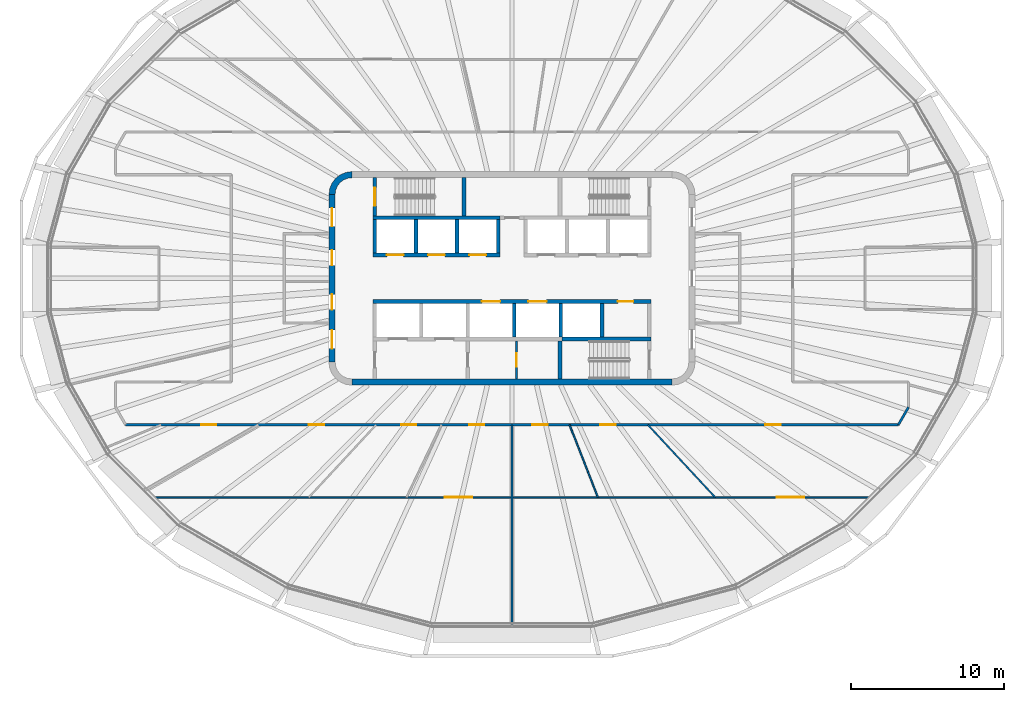
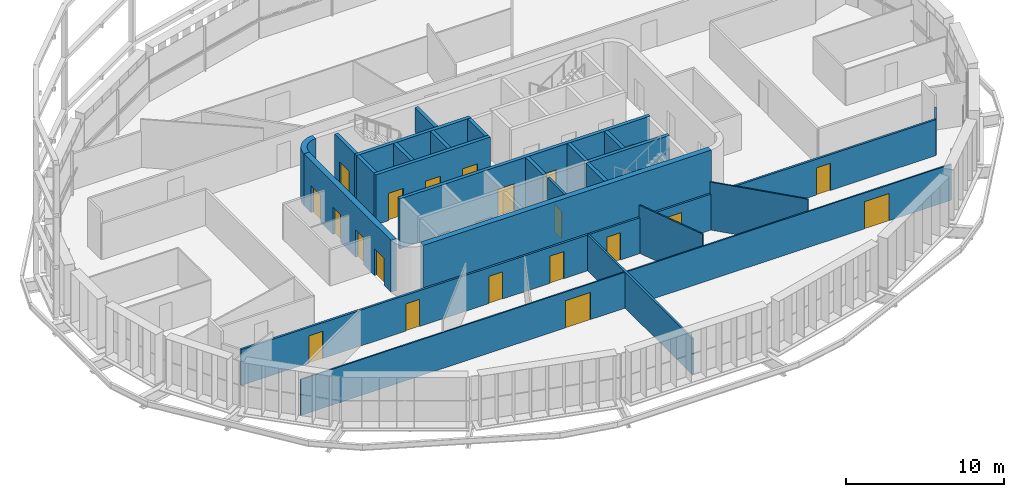
# One storey, part 10 of 20: 24 walls, 21 doors, 21 openings.
"""IFC4 building model written with IfcOpenShell, lengths in metres."""

from ifc_helpers import new_model, si_unit, direction, frame, frame_2d, origin, place, context, subcontext, project, spatial, polyline, rectangle, outline, extrude, material, layer, layer_set, type_object, element, fill, save


model = new_model("IFC4")

# Units and contexts
model_context = context("Model", 3, precision=1e-05, world=origin(), true_north=direction((0.0, 1.0)))
body_context = subcontext(model_context, "Body", "Model", "MODEL_VIEW")
ifc_project = project(units=[si_unit("LENGTHUNIT", "METRE"), si_unit("AREAUNIT", "SQUARE_METRE"), si_unit("VOLUMEUNIT", "CUBIC_METRE"), si_unit("PLANEANGLEUNIT", "RADIAN"), si_unit("MASSUNIT", "GRAM", prefix="KILO")], contexts=[model_context])

# Site, building, storey
site_placement = place(None, origin())
site = spatial("IfcSite", under=ifc_project, at=site_placement, CompositionType="ELEMENT")
building_placement = place(site_placement, origin())
building = spatial("IfcBuilding", under=site, at=building_placement, Name="Sahrelin Media Tower", CompositionType="ELEMENT")
storey_placement = place(building_placement, frame((0.0, 0.0, 237.60009765625)))
storey = spatial("IfcBuildingStorey", under=building, at=storey_placement, Name="L51", CompositionType="ELEMENT", Elevation=237.60009765625)

# Wall
ifc_material_1 = material(Name="Concrete C60/75", Category="concrete")
ifc_layer_1 = layer(ifc_material_1, 0.39990234375)
ifc_layer_set_1 = layer_set([ifc_layer_1], Name="Core wall 400")
wall_type_1 = type_object("IfcWallType", Name="Core wall 400", PredefinedType="SHEAR", material=ifc_layer_set_1)
wall_1_placement = place(storey_placement, frame((-10.5, -6.800048828125, 0.0), z_axis=(0.0, 0.0, 1.0), x_axis=(1.0, 0.0, 0.0)))
element("IfcWall", 1, at=wall_1_placement, inside=storey, type_object=wall_type_1, Name="Core wall S L51", PredefinedType="SHEAR", context=body_context, shape_type="SweptSolid", body=[
    extrude(rectangle(XDim=21.0, YDim=0.39990234375, at=frame_2d((10.5, 0.0))), origin(), (0.0, 0.0, 1.0), 4.0),
])

# Wall, openings, doors
wall_2_placement = place(storey_placement, frame((-11.800048828125, -5.5, 0.0), z_axis=(0.0, 0.0, 1.0), x_axis=(0.0, 1.0, 0.0)))
wall_2 = element("IfcWall", 2, at=wall_2_placement, inside=storey, type_object=wall_type_1, Name="Core wall W L51", PredefinedType="SHEAR", context=body_context, shape_type="SweptSolid", body=[
    extrude(rectangle(XDim=11.0, YDim=0.39990234375, at=frame_2d((5.5, 0.0))), origin(), (0.0, 0.0, 1.0), 4.0),
])
opening_1_placement = place(wall_2_placement, frame((3.449951171875, 0.0, 0.0)))
opening_1 = element("IfcOpeningElement", 3, at=opening_1_placement, cuts=wall_2, Name="Opening L51-D09", PredefinedType="OPENING", context=body_context, shape_type="SweptSolid", body=[
    extrude(rectangle(XDim=1.0, YDim=2.10009765625, at=frame_2d((0.5, 1.050048828125))), frame((0.0, 0.199951171875, 0.0), z_axis=(0.0, -1.0, 0.0), x_axis=(1.0, 0.0, 0.0)), (0.0, 0.0, 1.0), 0.39990234375),
])
opening_2_placement = place(wall_2_placement, frame((6.35009765625, 0.0, 0.0)))
opening_2 = element("IfcOpeningElement", 4, at=opening_2_placement, cuts=wall_2, Name="Opening L51-D10", PredefinedType="OPENING", context=body_context, shape_type="SweptSolid", body=[
    extrude(rectangle(XDim=1.0, YDim=2.10009765625, at=frame_2d((0.5, 1.050048828125))), frame((0.0, 0.199951171875, 0.0), z_axis=(0.0, -1.0, 0.0), x_axis=(1.0, 0.0, 0.0)), (0.0, 0.0, 1.0), 0.39990234375),
])
opening_3_placement = place(wall_2_placement, frame((0.89990234375, 0.0, 0.0)))
opening_3 = element("IfcOpeningElement", 5, at=opening_3_placement, cuts=wall_2, Name="Opening L51-D12", PredefinedType="OPENING", context=body_context, shape_type="SweptSolid", body=[
    extrude(rectangle(XDim=1.199951171875, YDim=2.10009765625, at=frame_2d((0.60009765625, 1.050048828125))), frame((0.0, 0.199951171875, 0.0), z_axis=(0.0, -1.0, 0.0), x_axis=(1.0, 0.0, 0.0)), (0.0, 0.0, 1.0), 0.39990234375),
])
opening_4_placement = place(wall_2_placement, frame((8.89990234375, 0.0, 0.0)))
opening_4 = element("IfcOpeningElement", 6, at=opening_4_placement, cuts=wall_2, Name="Opening L51-D13", PredefinedType="OPENING", context=body_context, shape_type="SweptSolid", body=[
    extrude(rectangle(XDim=1.199951171875, YDim=2.10009765625, at=frame_2d((0.60009765625, 1.050048828125))), frame((0.0, 0.199951171875, 0.0), z_axis=(0.0, -1.0, 0.0), x_axis=(1.0, 0.0, 0.0)), (0.0, 0.0, 1.0), 0.39990234375),
])
ifc_material_2 = material(Name="Steel fire door leaf", Category="steel")
door_type_1 = type_object("IfcDoorType", Name="Fire door 1000 x 2100 EI 60", OperationType="NOTDEFINED", PredefinedType="DOOR", material=ifc_material_2)
door_1_placement = place(opening_1_placement, origin())
door_1 = element("IfcDoor", 7, at=door_1_placement, inside=storey, type_object=door_type_1, Name="Core room door", OperationType="SINGLE_SWING_RIGHT", OverallHeight=2.10009765625, OverallWidth=1.0, PredefinedType="DOOR", context=body_context, shape_type="SweptSolid", body=[
    extrude(rectangle(XDim=1.0, YDim=2.10009765625, at=frame_2d((0.5, 1.050048828125))), frame((0.0, 0.02490234375, 0.0), z_axis=(0.0, -1.0, 0.0), x_axis=(1.0, 0.0, 0.0)), (0.0, 0.0, 1.0), 0.050048828125),
])
fill(opening_1, door_1)
door_2_placement = place(opening_2_placement, origin())
door_2 = element("IfcDoor", 8, at=door_2_placement, inside=storey, type_object=door_type_1, Name="Core room door", OperationType="SINGLE_SWING_RIGHT", OverallHeight=2.10009765625, OverallWidth=1.0, PredefinedType="DOOR", context=body_context, shape_type="SweptSolid", body=[
    extrude(rectangle(XDim=1.0, YDim=2.10009765625, at=frame_2d((0.5, 1.050048828125))), frame((0.0, 0.02490234375, 0.0), z_axis=(0.0, -1.0, 0.0), x_axis=(1.0, 0.0, 0.0)), (0.0, 0.0, 1.0), 0.050048828125),
])
fill(opening_2, door_2)
door_type_2 = type_object("IfcDoorType", Name="Lobby door 1200 x 2100 EI 60", OperationType="NOTDEFINED", PredefinedType="DOOR", material=ifc_material_2)
door_3_placement = place(opening_3_placement, origin())
door_3 = element("IfcDoor", 9, at=door_3_placement, inside=storey, type_object=door_type_2, Name="Lobby door", OperationType="SINGLE_SWING_LEFT", OverallHeight=2.10009765625, OverallWidth=1.199951171875, PredefinedType="DOOR", context=body_context, shape_type="SweptSolid", body=[
    extrude(rectangle(XDim=1.199951171875, YDim=2.10009765625, at=frame_2d((0.60009765625, 1.050048828125))), frame((0.0, 0.02490234375, 0.0), z_axis=(0.0, -1.0, 0.0), x_axis=(1.0, 0.0, 0.0)), (0.0, 0.0, 1.0), 0.050048828125),
])
fill(opening_3, door_3)
door_4_placement = place(opening_4_placement, origin())
door_4 = element("IfcDoor", 10, at=door_4_placement, inside=storey, type_object=door_type_2, Name="Lobby door", OperationType="SINGLE_SWING_LEFT", OverallHeight=2.10009765625, OverallWidth=1.199951171875, PredefinedType="DOOR", context=body_context, shape_type="SweptSolid", body=[
    extrude(rectangle(XDim=1.199951171875, YDim=2.10009765625, at=frame_2d((0.60009765625, 1.050048828125))), frame((0.0, 0.02490234375, 0.0), z_axis=(0.0, -1.0, 0.0), x_axis=(1.0, 0.0, 0.0)), (0.0, 0.0, 1.0), 0.050048828125),
])
fill(opening_4, door_4)

# Wall
wall_3_placement = place(storey_placement, origin())
element("IfcWall", 11, at=wall_3_placement, inside=storey, type_object=wall_type_1, Name="Core wall corner NW L51", PredefinedType="SHEAR", context=body_context, shape_type="SweptSolid", body=[
    extrude(outline(polyline([(-12.0, 5.5), (-11.596435546875, 5.5), (-11.55908203125, 5.78369140625), (-11.44970703125, 6.04833984375), (-11.275390625, 6.275390625), (-11.04833984375, 6.44970703125), (-10.78369140625, 6.55908203125), (-10.5, 6.596435546875), (-10.5, 7.0), (-10.88818359375, 6.948974609375), (-11.25, 6.799072265625), (-11.560791015625, 6.560791015625), (-11.799072265625, 6.25), (-11.948974609375, 5.88818359375), (-12.0, 5.5)])), origin(), (0.0, 0.0, 1.0), 4.0),
])

# Wall, opening, door
ifc_material_3 = material(Name="Fire-rated gypsum board partition")
ifc_layer_2 = layer(ifc_material_3, 0.14990234375)
ifc_layer_set_2 = layer_set([ifc_layer_2], Name="Fire-rated partition 150")
wall_type_2 = type_object("IfcWallType", Name="Fire-rated partition 150", PredefinedType="PARTITIONING", material=ifc_layer_set_2)
wall_4_placement = place(storey_placement, frame((0.300048828125, -6.60009765625, 0.0), z_axis=(0.0, 0.0, 1.0), x_axis=(0.0, 1.0, 0.0)))
wall_4 = element("IfcWall", 12, at=wall_4_placement, inside=storey, type_object=wall_type_2, Name="Core room fire partition", PredefinedType="PARTITIONING", context=body_context, shape_type="SweptSolid", body=[
    extrude(rectangle(XDim=2.5, YDim=0.14990234375, at=frame_2d((1.25, 0.0))), origin(), (0.0, 0.0, 1.0), 3.699951171875),
])
opening_5_placement = place(wall_4_placement, frame((0.800048828125, 0.0, 0.0)))
opening_5 = element("IfcOpeningElement", 13, at=opening_5_placement, cuts=wall_4, Name="Opening L51-D07", PredefinedType="OPENING", context=body_context, shape_type="SweptSolid", body=[
    extrude(rectangle(XDim=0.89990234375, YDim=2.10009765625, at=frame_2d((0.449951171875, 1.050048828125))), frame((0.0, 0.074951171875, 0.0), z_axis=(0.0, -1.0, 0.0), x_axis=(1.0, 0.0, 0.0)), (0.0, 0.0, 1.0), 0.14990234375),
])
door_type_3 = type_object("IfcDoorType", Name="Fire door 900 x 2100 EI 60", OperationType="NOTDEFINED", PredefinedType="DOOR", material=ifc_material_2)
door_5_placement = place(opening_5_placement, origin())
door_5 = element("IfcDoor", 14, at=door_5_placement, inside=storey, type_object=door_type_3, Name="Core room door", OperationType="SINGLE_SWING_RIGHT", OverallHeight=2.10009765625, OverallWidth=0.89990234375, PredefinedType="DOOR", context=body_context, shape_type="SweptSolid", body=[
    extrude(rectangle(XDim=0.89990234375, YDim=2.10009765625, at=frame_2d((0.449951171875, 1.050048828125))), frame((0.0, 0.02490234375, 0.0), z_axis=(0.0, -1.0, 0.0), x_axis=(1.0, 0.0, 0.0)), (0.0, 0.0, 1.0), 0.050048828125),
])
fill(opening_5, door_5)

# Wall, openings, doors
wall_5_placement = place(storey_placement, frame((-25.3330078125, -9.60009765625, 0.0), z_axis=(0.0, 0.0, 1.0), x_axis=(1.0, 0.0, 0.0)))
wall_5 = element("IfcWall", 15, at=wall_5_placement, inside=storey, type_object=wall_type_2, Name="Wall", PredefinedType="PARTITIONING", context=body_context, shape_type="SweptSolid", body=[
    extrude(rectangle(XDim=50.666015625, YDim=0.14990234375, at=frame_2d((25.3330078125, 0.0))), origin(), (0.0, 0.0, 1.0), 2.76806640625),
])
opening_6_placement = place(wall_5_placement, frame((4.955810546875, 0.0, 0.0)))
opening_6 = element("IfcOpeningElement", 16, at=opening_6_placement, cuts=wall_5, Name="Opening L51-D26", PredefinedType="OPENING", context=body_context, shape_type="SweptSolid", body=[
    extrude(rectangle(XDim=1.0, YDim=2.10009765625, at=frame_2d((0.5, 1.050048828125))), frame((0.0, 0.074951171875, 0.0), z_axis=(0.0, -1.0, 0.0), x_axis=(1.0, 0.0, 0.0)), (0.0, 0.0, 1.0), 0.14990234375),
])
opening_7_placement = place(wall_5_placement, frame((12.015869140625, 0.0, 0.0)))
opening_7 = element("IfcOpeningElement", 17, at=opening_7_placement, cuts=wall_5, Name="Opening L51-D28", PredefinedType="OPENING", context=body_context, shape_type="SweptSolid", body=[
    extrude(rectangle(XDim=1.0, YDim=2.10009765625, at=frame_2d((0.5, 1.050048828125))), frame((0.0, 0.074951171875, 0.0), z_axis=(0.0, -1.0, 0.0), x_axis=(1.0, 0.0, 0.0)), (0.0, 0.0, 1.0), 0.14990234375),
])
opening_8_placement = place(wall_5_placement, frame((18.068115234375, 0.0, 0.0)))
opening_8 = element("IfcOpeningElement", 18, at=opening_8_placement, cuts=wall_5, Name="Opening L51-D29", PredefinedType="OPENING", context=body_context, shape_type="SweptSolid", body=[
    extrude(rectangle(XDim=1.0, YDim=2.10009765625, at=frame_2d((0.5, 1.050048828125))), frame((0.0, 0.074951171875, 0.0), z_axis=(0.0, -1.0, 0.0), x_axis=(1.0, 0.0, 0.0)), (0.0, 0.0, 1.0), 0.14990234375),
])
opening_9_placement = place(wall_5_placement, frame((22.521484375, 0.0, 0.0)))
opening_9 = element("IfcOpeningElement", 19, at=opening_9_placement, cuts=wall_5, Name="Opening L51-D30", PredefinedType="OPENING", context=body_context, shape_type="SweptSolid", body=[
    extrude(rectangle(XDim=1.0, YDim=2.10009765625, at=frame_2d((0.5, 1.050048828125))), frame((0.0, 0.074951171875, 0.0), z_axis=(0.0, -1.0, 0.0), x_axis=(1.0, 0.0, 0.0)), (0.0, 0.0, 1.0), 0.14990234375),
])
opening_10_placement = place(wall_5_placement, frame((26.664794921875, 0.0, 0.0)))
opening_10 = element("IfcOpeningElement", 20, at=opening_10_placement, cuts=wall_5, Name="Opening L51-D32", PredefinedType="OPENING", context=body_context, shape_type="SweptSolid", body=[
    extrude(rectangle(XDim=1.0, YDim=2.10009765625, at=frame_2d((0.5, 1.050048828125))), frame((0.0, 0.074951171875, 0.0), z_axis=(0.0, -1.0, 0.0), x_axis=(1.0, 0.0, 0.0)), (0.0, 0.0, 1.0), 0.14990234375),
])
opening_11_placement = place(wall_5_placement, frame((31.119873046875, 0.0, 0.0)))
opening_11 = element("IfcOpeningElement", 21, at=opening_11_placement, cuts=wall_5, Name="Opening L51-D33", PredefinedType="OPENING", context=body_context, shape_type="SweptSolid", body=[
    extrude(rectangle(XDim=1.0, YDim=2.10009765625, at=frame_2d((0.5, 1.050048828125))), frame((0.0, 0.074951171875, 0.0), z_axis=(0.0, -1.0, 0.0), x_axis=(1.0, 0.0, 0.0)), (0.0, 0.0, 1.0), 0.14990234375),
])
opening_12_placement = place(wall_5_placement, frame((41.952880859375, 0.0, 0.0)))
opening_12 = element("IfcOpeningElement", 22, at=opening_12_placement, cuts=wall_5, Name="Opening L51-D34", PredefinedType="OPENING", context=body_context, shape_type="SweptSolid", body=[
    extrude(rectangle(XDim=1.0, YDim=2.10009765625, at=frame_2d((0.5, 1.050048828125))), frame((0.0, 0.074951171875, 0.0), z_axis=(0.0, -1.0, 0.0), x_axis=(1.0, 0.0, 0.0)), (0.0, 0.0, 1.0), 0.14990234375),
])
door_6_placement = place(opening_6_placement, origin())
door_6 = element("IfcDoor", 23, at=door_6_placement, inside=storey, type_object=door_type_1, Name="Fire door", OperationType="SINGLE_SWING_LEFT", OverallHeight=2.10009765625, OverallWidth=1.0, PredefinedType="DOOR", context=body_context, shape_type="SweptSolid", body=[
    extrude(rectangle(XDim=1.0, YDim=2.10009765625, at=frame_2d((0.5, 1.050048828125))), frame((0.0, 0.02490234375, 0.0), z_axis=(0.0, -1.0, 0.0), x_axis=(1.0, 0.0, 0.0)), (0.0, 0.0, 1.0), 0.050048828125),
])
fill(opening_6, door_6)
door_7_placement = place(opening_7_placement, origin())
door_7 = element("IfcDoor", 24, at=door_7_placement, inside=storey, type_object=door_type_1, Name="Fire door", OperationType="SINGLE_SWING_RIGHT", OverallHeight=2.10009765625, OverallWidth=1.0, PredefinedType="DOOR", context=body_context, shape_type="SweptSolid", body=[
    extrude(rectangle(XDim=1.0, YDim=2.10009765625, at=frame_2d((0.5, 1.050048828125))), frame((0.0, 0.02490234375, 0.0), z_axis=(0.0, -1.0, 0.0), x_axis=(1.0, 0.0, 0.0)), (0.0, 0.0, 1.0), 0.050048828125),
])
fill(opening_7, door_7)
door_8_placement = place(opening_8_placement, origin())
door_8 = element("IfcDoor", 25, at=door_8_placement, inside=storey, type_object=door_type_1, Name="Fire door", OperationType="SINGLE_SWING_RIGHT", OverallHeight=2.10009765625, OverallWidth=1.0, PredefinedType="DOOR", context=body_context, shape_type="SweptSolid", body=[
    extrude(rectangle(XDim=1.0, YDim=2.10009765625, at=frame_2d((0.5, 1.050048828125))), frame((0.0, 0.02490234375, 0.0), z_axis=(0.0, -1.0, 0.0), x_axis=(1.0, 0.0, 0.0)), (0.0, 0.0, 1.0), 0.050048828125),
])
fill(opening_8, door_8)
door_9_placement = place(opening_9_placement, origin())
door_9 = element("IfcDoor", 26, at=door_9_placement, inside=storey, type_object=door_type_1, Name="Fire door", OperationType="SINGLE_SWING_LEFT", OverallHeight=2.10009765625, OverallWidth=1.0, PredefinedType="DOOR", context=body_context, shape_type="SweptSolid", body=[
    extrude(rectangle(XDim=1.0, YDim=2.10009765625, at=frame_2d((0.5, 1.050048828125))), frame((0.0, 0.02490234375, 0.0), z_axis=(0.0, -1.0, 0.0), x_axis=(1.0, 0.0, 0.0)), (0.0, 0.0, 1.0), 0.050048828125),
])
fill(opening_9, door_9)
door_10_placement = place(opening_10_placement, origin())
door_10 = element("IfcDoor", 27, at=door_10_placement, inside=storey, type_object=door_type_1, Name="Fire door", OperationType="SINGLE_SWING_RIGHT", OverallHeight=2.10009765625, OverallWidth=1.0, PredefinedType="DOOR", context=body_context, shape_type="SweptSolid", body=[
    extrude(rectangle(XDim=1.0, YDim=2.10009765625, at=frame_2d((0.5, 1.050048828125))), frame((0.0, 0.02490234375, 0.0), z_axis=(0.0, -1.0, 0.0), x_axis=(1.0, 0.0, 0.0)), (0.0, 0.0, 1.0), 0.050048828125),
])
fill(opening_10, door_10)
door_11_placement = place(opening_11_placement, origin())
door_11 = element("IfcDoor", 28, at=door_11_placement, inside=storey, type_object=door_type_1, Name="Fire door", OperationType="SINGLE_SWING_LEFT", OverallHeight=2.10009765625, OverallWidth=1.0, PredefinedType="DOOR", context=body_context, shape_type="SweptSolid", body=[
    extrude(rectangle(XDim=1.0, YDim=2.10009765625, at=frame_2d((0.5, 1.050048828125))), frame((0.0, 0.02490234375, 0.0), z_axis=(0.0, -1.0, 0.0), x_axis=(1.0, 0.0, 0.0)), (0.0, 0.0, 1.0), 0.050048828125),
])
fill(opening_11, door_11)
door_12_placement = place(opening_12_placement, origin())
door_12 = element("IfcDoor", 29, at=door_12_placement, inside=storey, type_object=door_type_1, Name="Fire door", OperationType="SINGLE_SWING_RIGHT", OverallHeight=2.10009765625, OverallWidth=1.0, PredefinedType="DOOR", context=body_context, shape_type="SweptSolid", body=[
    extrude(rectangle(XDim=1.0, YDim=2.10009765625, at=frame_2d((0.5, 1.050048828125))), frame((0.0, 0.02490234375, 0.0), z_axis=(0.0, -1.0, 0.0), x_axis=(1.0, 0.0, 0.0)), (0.0, 0.0, 1.0), 0.050048828125),
])
fill(opening_12, door_12)

# Walls
wall_6_placement = place(storey_placement, frame((25.3330078125, -9.60009765625, 0.0), z_axis=(0.0, 0.0, 1.0), x_axis=(0.500076310463, 0.865981341435, 0.0)))
element("IfcWall", 30, at=wall_6_placement, inside=storey, type_object=wall_type_2, Name="Wall", PredefinedType="PARTITIONING", context=body_context, shape_type="SweptSolid", body=[
    extrude(rectangle(XDim=1.333740234375, YDim=0.14990234375, at=frame_2d((0.6669921875, 0.0))), origin(), (0.0, 0.0, 1.0), 2.76806640625),
])
wall_7_placement = place(storey_placement, frame((0.0, -22.85009765625, 0.0), z_axis=(0.0, 0.0, 1.0), x_axis=(0.0, 1.0, 0.0)))
element("IfcWall", 31, at=wall_7_placement, inside=storey, type_object=wall_type_2, Name="Wall", PredefinedType="PARTITIONING", context=body_context, shape_type="SweptSolid", body=[
    extrude(rectangle(XDim=13.25, YDim=0.14990234375, at=frame_2d((6.625, 0.0))), origin(), (0.0, 0.0, 1.0), 2.76806640625),
])

# Wall, openings, doors
ifc_layer_3 = layer(ifc_material_1, 0.25)
ifc_layer_set_3 = layer_set([ifc_layer_3], Name="Lift shaft wall 250")
wall_type_3 = type_object("IfcWallType", Name="Lift shaft wall 250", PredefinedType="SOLIDWALL", material=ifc_layer_set_3)
wall_8_placement = place(storey_placement, frame((-9.125, 1.52490234375, 0.0), z_axis=(0.0, 0.0, 1.0), x_axis=(1.0, 0.0, 0.0)))
wall_8 = element("IfcWall", 32, at=wall_8_placement, inside=storey, type_object=wall_type_3, Name="Lift shaft wall", PredefinedType="SOLIDWALL", context=body_context, shape_type="SweptSolid", body=[
    extrude(rectangle(XDim=8.35009765625, YDim=0.25, at=frame_2d((4.175048828125, 0.0))), origin(), (0.0, 0.0, 1.0), 3.849853515625),
])
opening_13_placement = place(wall_8_placement, frame((0.925048828125, 0.0, 0.0)))
opening_13 = element("IfcOpeningElement", 33, at=opening_13_placement, cuts=wall_8, Name="Opening L51-LD-HR1", PredefinedType="OPENING", context=body_context, shape_type="SweptSolid", body=[
    extrude(rectangle(XDim=1.10009765625, YDim=2.10009765625, at=frame_2d((0.550048828125, 1.050048828125))), frame((0.0, 0.125, 0.0), z_axis=(0.0, -1.0, 0.0), x_axis=(1.0, 0.0, 0.0)), (0.0, 0.0, 1.0), 0.25),
])
opening_14_placement = place(wall_8_placement, frame((3.625, 0.0, 0.0)))
opening_14 = element("IfcOpeningElement", 34, at=opening_14_placement, cuts=wall_8, Name="Opening L51-LD-HR2", PredefinedType="OPENING", context=body_context, shape_type="SweptSolid", body=[
    extrude(rectangle(XDim=1.10009765625, YDim=2.10009765625, at=frame_2d((0.550048828125, 1.050048828125))), frame((0.0, 0.125, 0.0), z_axis=(0.0, -1.0, 0.0), x_axis=(1.0, 0.0, 0.0)), (0.0, 0.0, 1.0), 0.25),
])
opening_15_placement = place(wall_8_placement, frame((6.324951171875, 0.0, 0.0)))
opening_15 = element("IfcOpeningElement", 35, at=opening_15_placement, cuts=wall_8, Name="Opening L51-LD-HR3", PredefinedType="OPENING", context=body_context, shape_type="SweptSolid", body=[
    extrude(rectangle(XDim=1.10009765625, YDim=2.10009765625, at=frame_2d((0.550048828125, 1.050048828125))), frame((0.0, 0.125, 0.0), z_axis=(0.0, -1.0, 0.0), x_axis=(1.0, 0.0, 0.0)), (0.0, 0.0, 1.0), 0.25),
])
ifc_material_4 = material(Name="Stainless steel", Category="steel")
door_type_4 = type_object("IfcDoorType", Name="Lift landing door 1100 x 2100 EI 120", OperationType="DOUBLE_DOOR_SLIDING", PredefinedType="DOOR", material=ifc_material_4)
door_13_placement = place(opening_13_placement, origin())
door_13 = element("IfcDoor", 36, at=door_13_placement, inside=storey, type_object=door_type_4, Name="Lift landing door HR1", OperationType="DOUBLE_DOOR_SLIDING", OverallHeight=2.10009765625, OverallWidth=1.10009765625, PredefinedType="DOOR", context=body_context, shape_type="SweptSolid", body=[
    extrude(rectangle(XDim=1.10009765625, YDim=2.10009765625, at=frame_2d((0.550048828125, 1.050048828125))), frame((0.0, 0.02490234375, 0.0), z_axis=(0.0, -1.0, 0.0), x_axis=(1.0, 0.0, 0.0)), (0.0, 0.0, 1.0), 0.050048828125),
])
fill(opening_13, door_13)
door_14_placement = place(opening_14_placement, origin())
door_14 = element("IfcDoor", 37, at=door_14_placement, inside=storey, type_object=door_type_4, Name="Lift landing door HR2", OperationType="DOUBLE_DOOR_SLIDING", OverallHeight=2.10009765625, OverallWidth=1.10009765625, PredefinedType="DOOR", context=body_context, shape_type="SweptSolid", body=[
    extrude(rectangle(XDim=1.10009765625, YDim=2.10009765625, at=frame_2d((0.550048828125, 1.050048828125))), frame((0.0, 0.02490234375, 0.0), z_axis=(0.0, -1.0, 0.0), x_axis=(1.0, 0.0, 0.0)), (0.0, 0.0, 1.0), 0.050048828125),
])
fill(opening_14, door_14)
door_15_placement = place(opening_15_placement, origin())
door_15 = element("IfcDoor", 38, at=door_15_placement, inside=storey, type_object=door_type_4, Name="Lift landing door HR3", OperationType="DOUBLE_DOOR_SLIDING", OverallHeight=2.10009765625, OverallWidth=1.10009765625, PredefinedType="DOOR", context=body_context, shape_type="SweptSolid", body=[
    extrude(rectangle(XDim=1.10009765625, YDim=2.10009765625, at=frame_2d((0.550048828125, 1.050048828125))), frame((0.0, 0.02490234375, 0.0), z_axis=(0.0, -1.0, 0.0), x_axis=(1.0, 0.0, 0.0)), (0.0, 0.0, 1.0), 0.050048828125),
])
fill(opening_15, door_15)

# Walls
wall_9_placement = place(storey_placement, frame((-9.125, 3.97509765625, 0.0), z_axis=(0.0, 0.0, 1.0), x_axis=(1.0, 0.0, 0.0)))
element("IfcWall", 39, at=wall_9_placement, inside=storey, type_object=wall_type_3, Name="Lift shaft wall", PredefinedType="SOLIDWALL", context=body_context, shape_type="SweptSolid", body=[
    extrude(rectangle(XDim=8.35009765625, YDim=0.25, at=frame_2d((4.175048828125, 0.0))), origin(), (0.0, 0.0, 1.0), 3.849853515625),
])
for number, where, z_axis, x_axis, name in (
    (40, (-9.0, 1.64990234375, 0.0), (0.0, 0.0, 1.0), (0.0, 1.0, 0.0), "Lift shaft wall"),
    (41, (-6.300048828125, 1.64990234375, 0.0), (0.0, 0.0, 1.0), (0.0, 1.0, 0.0), "Lift shaft wall"),
    (42, (-3.60009765625, 1.64990234375, 0.0), (0.0, 0.0, 1.0), (0.0, 1.0, 0.0), "Lift shaft wall"),
    (43, (-0.89990234375, 1.64990234375, 0.0), (0.0, 0.0, 1.0), (0.0, 1.0, 0.0), "Lift shaft wall"),
):
    element("IfcWall", number, at=place(storey_placement, frame(where, z_axis=z_axis, x_axis=x_axis)), inside=storey, type_object=wall_type_3, Name=name, PredefinedType="SOLIDWALL", context=body_context, shape_type="SweptSolid", body=[
        extrude(rectangle(XDim=2.2001953125, YDim=0.25, at=frame_2d((1.10009765625, 0.0))), origin(), (0.0, 0.0, 1.0), 3.849853515625),
    ])

# Wall, openings, doors
wall_10_placement = place(storey_placement, frame((-9.125, -1.52490234375, 0.0), z_axis=(0.0, 0.0, 1.0), x_axis=(1.0, 0.0, 0.0)))
wall_10 = element("IfcWall", 44, at=wall_10_placement, inside=storey, type_object=wall_type_3, Name="Lift shaft wall", PredefinedType="SOLIDWALL", context=body_context, shape_type="SweptSolid", body=[
    extrude(rectangle(XDim=18.25, YDim=0.25, at=frame_2d((9.125, 0.0))), origin(), (0.0, 0.0, 1.0), 3.849853515625),
])
opening_16_placement = place(wall_10_placement, frame((7.14990234375, 0.0, 0.0)))
opening_16 = element("IfcOpeningElement", 45, at=opening_16_placement, cuts=wall_10, Name="Opening L51-LD-SV1", PredefinedType="OPENING", context=body_context, shape_type="SweptSolid", body=[
    extrude(rectangle(XDim=1.199951171875, YDim=2.10009765625, at=frame_2d((0.60009765625, 1.050048828125))), frame((0.0, 0.125, 0.0), z_axis=(0.0, -1.0, 0.0), x_axis=(1.0, 0.0, 0.0)), (0.0, 0.0, 1.0), 0.25),
])
opening_17_placement = place(wall_10_placement, frame((10.199951171875, 0.0, 0.0)))
opening_17 = element("IfcOpeningElement", 46, at=opening_17_placement, cuts=wall_10, Name="Opening L51-LD-SV2", PredefinedType="OPENING", context=body_context, shape_type="SweptSolid", body=[
    extrude(rectangle(XDim=1.199951171875, YDim=2.10009765625, at=frame_2d((0.60009765625, 1.050048828125))), frame((0.0, 0.125, 0.0), z_axis=(0.0, -1.0, 0.0), x_axis=(1.0, 0.0, 0.0)), (0.0, 0.0, 1.0), 0.25),
])
opening_18_placement = place(wall_10_placement, frame((16.074951171875, 0.0, 0.0)))
opening_18 = element("IfcOpeningElement", 47, at=opening_18_placement, cuts=wall_10, Name="Opening L51-D08", PredefinedType="OPENING", context=body_context, shape_type="SweptSolid", body=[
    extrude(rectangle(XDim=1.0, YDim=2.10009765625, at=frame_2d((0.5, 1.050048828125))), frame((0.0, 0.125, 0.0), z_axis=(0.0, -1.0, 0.0), x_axis=(1.0, 0.0, 0.0)), (0.0, 0.0, 1.0), 0.25),
])
door_16_placement = place(opening_18_placement, origin())
door_16 = element("IfcDoor", 48, at=door_16_placement, inside=storey, type_object=door_type_1, Name="Core room door", OperationType="SINGLE_SWING_RIGHT", OverallHeight=2.10009765625, OverallWidth=1.0, PredefinedType="DOOR", context=body_context, shape_type="SweptSolid", body=[
    extrude(rectangle(XDim=1.0, YDim=2.10009765625, at=frame_2d((0.5, 1.050048828125))), frame((0.0, 0.02490234375, 0.0), z_axis=(0.0, -1.0, 0.0), x_axis=(1.0, 0.0, 0.0)), (0.0, 0.0, 1.0), 0.050048828125),
])
fill(opening_18, door_16)
door_type_5 = type_object("IfcDoorType", Name="Lift landing door 1200 x 2100 EI 120", OperationType="DOUBLE_DOOR_SLIDING", PredefinedType="DOOR", material=ifc_material_4)
door_17_placement = place(opening_16_placement, origin())
door_17 = element("IfcDoor", 49, at=door_17_placement, inside=storey, type_object=door_type_5, Name="Lift landing door SV1", OperationType="DOUBLE_DOOR_SLIDING", OverallHeight=2.10009765625, OverallWidth=1.199951171875, PredefinedType="DOOR", context=body_context, shape_type="SweptSolid", body=[
    extrude(rectangle(XDim=1.199951171875, YDim=2.10009765625, at=frame_2d((0.60009765625, 1.050048828125))), frame((0.0, 0.02490234375, 0.0), z_axis=(0.0, -1.0, 0.0), x_axis=(1.0, 0.0, 0.0)), (0.0, 0.0, 1.0), 0.050048828125),
])
fill(opening_16, door_17)
door_18_placement = place(opening_17_placement, origin())
door_18 = element("IfcDoor", 50, at=door_18_placement, inside=storey, type_object=door_type_5, Name="Lift landing door SV2", OperationType="DOUBLE_DOOR_SLIDING", OverallHeight=2.10009765625, OverallWidth=1.199951171875, PredefinedType="DOOR", context=body_context, shape_type="SweptSolid", body=[
    extrude(rectangle(XDim=1.199951171875, YDim=2.10009765625, at=frame_2d((0.60009765625, 1.050048828125))), frame((0.0, 0.02490234375, 0.0), z_axis=(0.0, -1.0, 0.0), x_axis=(1.0, 0.0, 0.0)), (0.0, 0.0, 1.0), 0.050048828125),
])
fill(opening_17, door_18)

# Walls
wall_11_placement = place(storey_placement, frame((3.27490234375, -3.97509765625, 0.0), z_axis=(0.0, 0.0, 1.0), x_axis=(1.0, 0.0, 0.0)))
element("IfcWall", 51, at=wall_11_placement, inside=storey, type_object=wall_type_3, Name="Lift shaft wall", PredefinedType="SOLIDWALL", context=body_context, shape_type="SweptSolid", body=[
    extrude(rectangle(XDim=5.85009765625, YDim=0.25, at=frame_2d((2.925048828125, 0.0))), origin(), (0.0, 0.0, 1.0), 3.849853515625),
])
for number, where, z_axis, x_axis, name in (
    (52, (0.14990234375, -3.85009765625, 0.0), (0.0, 0.0, 1.0), (0.0, 1.0, 0.0), "Lift shaft wall"),
    (53, (3.199951171875, -3.85009765625, 0.0), (0.0, 0.0, 1.0), (0.0, 1.0, 0.0), "Lift shaft wall"),
    (54, (5.89990234375, -3.85009765625, 0.0), (0.0, 0.0, 1.0), (0.0, 1.0, 0.0), "Lift shaft wall"),
):
    element("IfcWall", number, at=place(storey_placement, frame(where, z_axis=z_axis, x_axis=x_axis)), inside=storey, type_object=wall_type_3, Name=name, PredefinedType="SOLIDWALL", context=body_context, shape_type="SweptSolid", body=[
        extrude(rectangle(XDim=2.2001953125, YDim=0.25, at=frame_2d((1.10009765625, 0.0))), origin(), (0.0, 0.0, 1.0), 3.849853515625),
    ])
ifc_material_5 = material(Name="Gypsum board partition")
ifc_layer_4 = layer(ifc_material_5, 0.10009765625)
ifc_layer_set_4 = layer_set([ifc_layer_4], Name="Partition 100")
wall_type_4 = type_object("IfcWallType", Name="Partition 100", PredefinedType="PARTITIONING", material=ifc_layer_set_4)
wall_12_placement = place(storey_placement, frame((3.76806640625, -9.60009765625, 0.0), z_axis=(0.0, 0.0, 1.0), x_axis=(0.365299294679, -0.93089012526, 0.0)))
element("IfcWall", 55, at=wall_12_placement, inside=storey, type_object=wall_type_4, Name="Wall", PredefinedType="PARTITIONING", context=body_context, shape_type="SweptSolid", body=[
    extrude(rectangle(XDim=5.11328125, YDim=0.10009765625, at=frame_2d((2.556640625, 0.0))), origin(), (0.0, 0.0, 1.0), 3.699951171875),
])
wall_13_placement = place(storey_placement, frame((8.906982421875, -9.60009765625, 0.0), z_axis=(0.0, 0.0, 1.0), x_axis=(0.680201581888, -0.733025107344, 0.0)))
element("IfcWall", 56, at=wall_13_placement, inside=storey, type_object=wall_type_4, Name="Wall", PredefinedType="PARTITIONING", context=body_context, shape_type="SweptSolid", body=[
    extrude(rectangle(XDim=6.49365234375, YDim=0.10009765625, at=frame_2d((3.246826171875, 0.0))), origin(), (0.0, 0.0, 1.0), 3.699951171875),
])

# Wall, openings, doors
wall_14_placement = place(storey_placement, frame((-23.7099609375, -14.360107421875, 0.0), z_axis=(0.0, 0.0, 1.0), x_axis=(1.0, 0.0, 0.0)))
wall_14 = element("IfcWall", 57, at=wall_14_placement, inside=storey, type_object=wall_type_4, Name="Wall", PredefinedType="PARTITIONING", context=body_context, shape_type="SweptSolid", body=[
    extrude(rectangle(XDim=47.419921875, YDim=0.10009765625, at=frame_2d((23.7099609375, 0.0))), origin(), (0.0, 0.0, 1.0), 2.76806640625),
])
opening_19_placement = place(wall_14_placement, frame((19.30224609375, 0.0, 0.0)))
opening_19 = element("IfcOpeningElement", 58, at=opening_19_placement, cuts=wall_14, Name="Opening L51-D31", PredefinedType="OPENING", context=body_context, shape_type="SweptSolid", body=[
    extrude(rectangle(XDim=1.800048828125, YDim=2.10009765625, at=frame_2d((0.89990234375, 1.050048828125))), frame((0.0, 0.050048828125, 0.0), z_axis=(0.0, -1.0, 0.0), x_axis=(1.0, 0.0, 0.0)), (0.0, 0.0, 1.0), 0.10009765625),
])
opening_20_placement = place(wall_14_placement, frame((41.07421875, 0.0, 0.0)))
opening_20 = element("IfcOpeningElement", 59, at=opening_20_placement, cuts=wall_14, Name="Opening L51-D35", PredefinedType="OPENING", context=body_context, shape_type="SweptSolid", body=[
    extrude(rectangle(XDim=1.800048828125, YDim=2.10009765625, at=frame_2d((0.89990234375, 1.050048828125))), frame((0.0, 0.050048828125, 0.0), z_axis=(0.0, -1.0, 0.0), x_axis=(1.0, 0.0, 0.0)), (0.0, 0.0, 1.0), 0.10009765625),
])
ifc_material_6 = material(Name="Timber door leaf", Category="wood")
door_type_6 = type_object("IfcDoorType", Name="Double door 1800 x 2100", OperationType="DOUBLE_DOOR_SINGLE_SWING", PredefinedType="DOOR", material=ifc_material_6)
door_19_placement = place(opening_19_placement, origin())
door_19 = element("IfcDoor", 60, at=door_19_placement, inside=storey, type_object=door_type_6, Name="Double door", OperationType="DOUBLE_DOOR_SINGLE_SWING", OverallHeight=2.10009765625, OverallWidth=1.800048828125, PredefinedType="DOOR", context=body_context, shape_type="SweptSolid", body=[
    extrude(rectangle(XDim=1.800048828125, YDim=2.10009765625, at=frame_2d((0.89990234375, 1.050048828125))), frame((0.0, 0.02490234375, 0.0), z_axis=(0.0, -1.0, 0.0), x_axis=(1.0, 0.0, 0.0)), (0.0, 0.0, 1.0), 0.050048828125),
])
fill(opening_19, door_19)
door_20_placement = place(opening_20_placement, origin())
door_20 = element("IfcDoor", 61, at=door_20_placement, inside=storey, type_object=door_type_6, Name="Double door", OperationType="DOUBLE_DOOR_SINGLE_SWING", OverallHeight=2.10009765625, OverallWidth=1.800048828125, PredefinedType="DOOR", context=body_context, shape_type="SweptSolid", body=[
    extrude(rectangle(XDim=1.800048828125, YDim=2.10009765625, at=frame_2d((0.89990234375, 1.050048828125))), frame((0.0, 0.02490234375, 0.0), z_axis=(0.0, -1.0, 0.0), x_axis=(1.0, 0.0, 0.0)), (0.0, 0.0, 1.0), 0.050048828125),
])
fill(opening_20, door_20)

# Wall, opening, door
ifc_layer_5 = layer(ifc_material_1, 0.25)
ifc_layer_set_5 = layer_set([ifc_layer_5], Name="Stair enclosure wall 250")
wall_type_5 = type_object("IfcWallType", Name="Stair enclosure wall 250", PredefinedType="SOLIDWALL", material=ifc_layer_set_5)
wall_15_placement = place(storey_placement, frame((-9.0, 4.10009765625, 0.0), z_axis=(0.0, 0.0, 1.0), x_axis=(0.0, 1.0, 0.0)))
wall_15 = element("IfcWall", 62, at=wall_15_placement, inside=storey, type_object=wall_type_5, Name="Stair enclosure wall", PredefinedType="SOLIDWALL", context=body_context, shape_type="SweptSolid", body=[
    extrude(rectangle(XDim=2.5, YDim=0.25, at=frame_2d((1.25, 0.0))), origin(), (0.0, 0.0, 1.0), 3.849853515625),
])
opening_21_placement = place(wall_15_placement, frame((0.64990234375, 0.0, 0.0)))
opening_21 = element("IfcOpeningElement", 63, at=opening_21_placement, cuts=wall_15, Name="Opening L51-D01", PredefinedType="OPENING", context=body_context, shape_type="SweptSolid", body=[
    extrude(rectangle(XDim=1.199951171875, YDim=2.10009765625, at=frame_2d((0.60009765625, 1.050048828125))), frame((0.0, 0.125, 0.0), z_axis=(0.0, -1.0, 0.0), x_axis=(1.0, 0.0, 0.0)), (0.0, 0.0, 1.0), 0.25),
])
door_type_7 = type_object("IfcDoorType", Name="Stair door 1200 x 2100 EI 120", OperationType="NOTDEFINED", PredefinedType="DOOR", material=ifc_material_2)
door_21_placement = place(opening_21_placement, origin())
door_21 = element("IfcDoor", 64, at=door_21_placement, inside=storey, type_object=door_type_7, Name="Stair door ST1", OperationType="SINGLE_SWING_RIGHT", OverallHeight=2.10009765625, OverallWidth=1.199951171875, PredefinedType="DOOR", context=body_context, shape_type="SweptSolid", body=[
    extrude(rectangle(XDim=1.199951171875, YDim=2.10009765625, at=frame_2d((0.60009765625, 1.050048828125))), frame((0.0, 0.02490234375, 0.0), z_axis=(0.0, -1.0, 0.0), x_axis=(1.0, 0.0, 0.0)), (0.0, 0.0, 1.0), 0.050048828125),
])
fill(opening_21, door_21)

# Walls
for number, where, z_axis, x_axis, name in (
    (65, (-3.14990234375, 4.10009765625, 0.0), (0.0, 0.0, 1.0), (0.0, 1.0, 0.0), "Stair enclosure wall"),
    (66, (3.14990234375, -6.60009765625, 0.0), (0.0, 0.0, 1.0), (0.0, 1.0, 0.0), "Stair enclosure wall"),
):
    element("IfcWall", number, at=place(storey_placement, frame(where, z_axis=z_axis, x_axis=x_axis)), inside=storey, type_object=wall_type_5, Name=name, PredefinedType="SOLIDWALL", context=body_context, shape_type="SweptSolid", body=[
        extrude(rectangle(XDim=2.5, YDim=0.25, at=frame_2d((1.25, 0.0))), origin(), (0.0, 0.0, 1.0), 3.849853515625),
    ])

save(model, "model.ifc")
